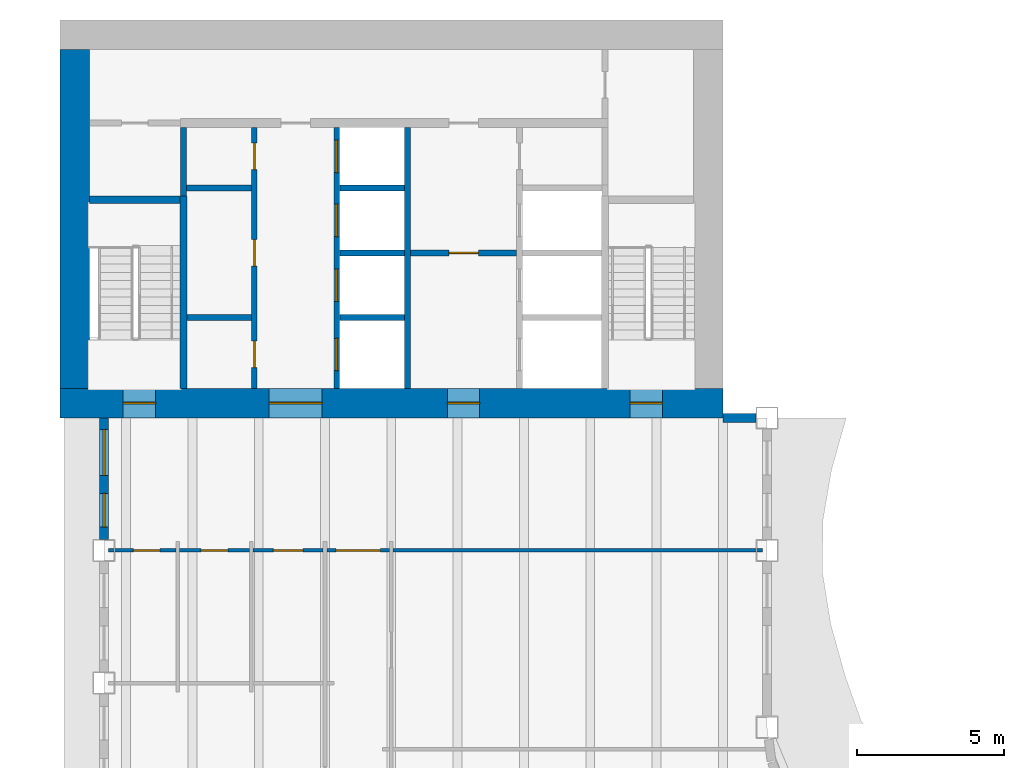
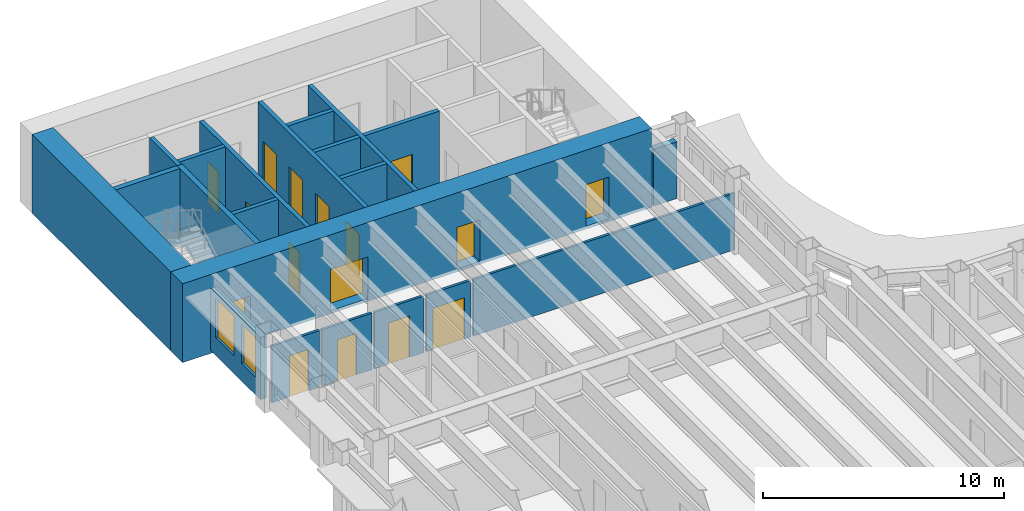
# One storey, part 9 of 17: 21 walls, 16 doors, 2 windows, 18 openings.
"""IFC4 building model written with IfcOpenShell, lengths in metres."""

from ifc_helpers import new_model, si_unit, direction, frame, frame_2d, origin, place, context, subcontext, project, spatial, rectangle, extrude, material, layer, layer_set, type_object, element, fill, save


model = new_model("IFC4")

# Units and contexts
model_context = context("Model", 3, precision=1e-05, world=origin(), true_north=direction((0.0, 1.0)))
body_context = subcontext(model_context, "Body", "Model", "MODEL_VIEW")
ifc_project = project(units=[si_unit("LENGTHUNIT", "METRE"), si_unit("AREAUNIT", "SQUARE_METRE"), si_unit("VOLUMEUNIT", "CUBIC_METRE"), si_unit("PLANEANGLEUNIT", "RADIAN"), si_unit("MASSUNIT", "GRAM", prefix="KILO")], contexts=[model_context])

# Site, building, storey
site_placement = place(None, origin())
site = spatial("IfcSite", under=ifc_project, at=site_placement, CompositionType="ELEMENT")
building_placement = place(site_placement, origin())
building = spatial("IfcBuilding", under=site, at=building_placement, Name="Sennacour Bend Tower", CompositionType="ELEMENT")
storey_placement = place(building_placement, frame((0.0, 0.0, 215.0)))
storey = spatial("IfcBuildingStorey", under=building, at=storey_placement, Name="L49", CompositionType="ELEMENT", Elevation=215.0)

# Wall, openings, doors
ifc_material_1 = material(Name="Concrete C60/75", Category="concrete")
ifc_layer_1 = layer(ifc_material_1, 1.0, Name="Concrete C60/75", Category="concrete")
ifc_layer_set_1 = layer_set([ifc_layer_1], Name="Concrete C60/75")
wall_type_1 = type_object("IfcWallType", Name="Core wall 1000 C60/75", PredefinedType="SHEAR", material=ifc_layer_set_1)
wall_1_placement = place(storey_placement, frame((0.0, 36.5, -0.14990234375), z_axis=(0.0, 0.0, 1.0), x_axis=(1.0, 0.0, 0.0)))
wall_1 = element("IfcWall", 1, at=wall_1_placement, inside=storey, type_object=wall_type_1, Name="Core B wall L49 S", PredefinedType="SHEAR", context=body_context, shape_type="SweptSolid", body=[
    extrude(rectangle(XDim=22.5, YDim=1.0, at=frame_2d((11.25, 0.0))), origin(), (0.0, 0.0, 1.0), 4.0),
])
opening_1_placement = place(wall_1_placement, frame((7.10009765625, 0.0, 0.14990234375)))
opening_1 = element("IfcOpeningElement", 2, at=opening_1_placement, cuts=wall_1, Name="Opening CD", PredefinedType="OPENING", context=body_context, shape_type="SweptSolid", body=[
    extrude(rectangle(XDim=1.800048828125, YDim=2.10009765625, at=frame_2d((0.89990234375, 1.050048828125))), frame((0.0, 0.510009765625, 0.0), z_axis=(0.0, -1.0, 0.0), x_axis=(1.0, 0.0, 0.0)), (0.0, 0.0, 1.0), 1.02001953125),
])
opening_2_placement = place(wall_1_placement, frame((13.14990234375, 0.0, 0.14990234375)))
opening_2 = element("IfcOpeningElement", 3, at=opening_2_placement, cuts=wall_1, Name="Opening FD", PredefinedType="OPENING", context=body_context, shape_type="SweptSolid", body=[
    extrude(rectangle(XDim=1.10009765625, YDim=2.10009765625, at=frame_2d((0.550048828125, 1.050048828125))), frame((0.0, 0.510009765625, 0.0), z_axis=(0.0, -1.0, 0.0), x_axis=(1.0, 0.0, 0.0)), (0.0, 0.0, 1.0), 1.02001953125),
])
opening_3_placement = place(wall_1_placement, frame((2.14990234375, 0.0, 0.14990234375)))
opening_3 = element("IfcOpeningElement", 4, at=opening_3_placement, cuts=wall_1, Name="Opening SD", PredefinedType="OPENING", context=body_context, shape_type="SweptSolid", body=[
    extrude(rectangle(XDim=1.10009765625, YDim=2.10009765625, at=frame_2d((0.550048828125, 1.050048828125))), frame((0.0, 0.510009765625, 0.0), z_axis=(0.0, -1.0, 0.0), x_axis=(1.0, 0.0, 0.0)), (0.0, 0.0, 1.0), 1.02001953125),
])
opening_4_placement = place(wall_1_placement, frame((19.35009765625, 0.0, 0.14990234375)))
opening_4 = element("IfcOpeningElement", 5, at=opening_4_placement, cuts=wall_1, Name="Opening SD", PredefinedType="OPENING", context=body_context, shape_type="SweptSolid", body=[
    extrude(rectangle(XDim=1.10009765625, YDim=2.10009765625, at=frame_2d((0.550048828125, 1.050048828125))), frame((0.0, 0.510009765625, 0.0), z_axis=(0.0, -1.0, 0.0), x_axis=(1.0, 0.0, 0.0)), (0.0, 0.0, 1.0), 1.02001953125),
])
ifc_material_2 = material(Name="Painted steel", Category="steel")
door_type_1 = type_object("IfcDoorType", Name="DR-FFL-1100", OperationType="NOTDEFINED", PredefinedType="DOOR", material=ifc_material_2)
door_1_placement = place(opening_2_placement, origin())
door_1 = element("IfcDoor", 6, at=door_1_placement, inside=storey, type_object=door_type_1, Name="Door", OperationType="SINGLE_SWING_RIGHT", OverallHeight=2.10009765625, OverallWidth=1.10009765625, PredefinedType="DOOR", context=body_context, shape_type="SweptSolid", body=[
    extrude(rectangle(XDim=1.10009765625, YDim=2.10009765625, at=frame_2d((0.550048828125, 1.050048828125))), frame((0.0, 0.02490234375, 0.0), z_axis=(0.0, -1.0, 0.0), x_axis=(1.0, 0.0, 0.0)), (0.0, 0.0, 1.0), 0.050048828125),
])
fill(opening_2, door_1)
door_type_2 = type_object("IfcDoorType", Name="DR-LOBBY-1800", OperationType="NOTDEFINED", PredefinedType="DOOR", material=ifc_material_2)
door_2_placement = place(opening_1_placement, origin())
door_2 = element("IfcDoor", 7, at=door_2_placement, inside=storey, type_object=door_type_2, Name="Door", OperationType="DOUBLE_DOOR_SINGLE_SWING", OverallHeight=2.10009765625, OverallWidth=1.800048828125, PredefinedType="DOOR", context=body_context, shape_type="SweptSolid", body=[
    extrude(rectangle(XDim=1.800048828125, YDim=2.10009765625, at=frame_2d((0.89990234375, 1.050048828125))), frame((0.0, 0.02490234375, 0.0), z_axis=(0.0, -1.0, 0.0), x_axis=(1.0, 0.0, 0.0)), (0.0, 0.0, 1.0), 0.050048828125),
])
fill(opening_1, door_2)
door_type_3 = type_object("IfcDoorType", Name="DR-STAIR-1100", OperationType="NOTDEFINED", PredefinedType="DOOR", material=ifc_material_2)
door_3_placement = place(opening_3_placement, origin())
door_3 = element("IfcDoor", 8, at=door_3_placement, inside=storey, type_object=door_type_3, Name="Door", OperationType="SINGLE_SWING_LEFT", OverallHeight=2.10009765625, OverallWidth=1.10009765625, PredefinedType="DOOR", context=body_context, shape_type="SweptSolid", body=[
    extrude(rectangle(XDim=1.10009765625, YDim=2.10009765625, at=frame_2d((0.550048828125, 1.050048828125))), frame((0.0, 0.02490234375, 0.0), z_axis=(0.0, -1.0, 0.0), x_axis=(1.0, 0.0, 0.0)), (0.0, 0.0, 1.0), 0.050048828125),
])
fill(opening_3, door_3)
door_4_placement = place(opening_4_placement, origin())
door_4 = element("IfcDoor", 9, at=door_4_placement, inside=storey, type_object=door_type_3, Name="Door", OperationType="SINGLE_SWING_RIGHT", OverallHeight=2.10009765625, OverallWidth=1.10009765625, PredefinedType="DOOR", context=body_context, shape_type="SweptSolid", body=[
    extrude(rectangle(XDim=1.10009765625, YDim=2.10009765625, at=frame_2d((0.550048828125, 1.050048828125))), frame((0.0, 0.02490234375, 0.0), z_axis=(0.0, -1.0, 0.0), x_axis=(1.0, 0.0, 0.0)), (0.0, 0.0, 1.0), 0.050048828125),
])
fill(opening_4, door_4)

# Wall
wall_2_placement = place(storey_placement, frame((0.5, 37.0, -0.14990234375), z_axis=(0.0, 0.0, 1.0), x_axis=(0.0, 1.0, 0.0)))
element("IfcWall", 10, at=wall_2_placement, inside=storey, type_object=wall_type_1, Name="Core B wall L49 W", PredefinedType="SHEAR", context=body_context, shape_type="SweptSolid", body=[
    extrude(rectangle(XDim=11.5, YDim=1.0, at=frame_2d((5.75, 0.0))), origin(), (0.0, 0.0, 1.0), 4.0),
])

# Wall, opening, door
ifc_material_3 = material(Name="Plasterboard partition on steel studs", Category="steel")
ifc_layer_2 = layer(ifc_material_3, 0.1201171875, Name="Plasterboard partition on steel studs", Category="steel")
ifc_layer_set_2 = layer_set([ifc_layer_2], Name="Plasterboard partition on steel studs")
wall_type_2 = type_object("IfcWallType", Name="Partition 120", PredefinedType="PARTITIONING", material=ifc_layer_set_2)
wall_3_placement = place(storey_placement, frame((1.64990234375, 31.5, 0.0), z_axis=(0.0, 0.0, 1.0), x_axis=(1.0, 0.0, 0.0)))
wall_3 = element("IfcWall", 11, at=wall_3_placement, inside=storey, type_object=wall_type_2, Name="P-L49-W077aa", PredefinedType="PARTITIONING", context=body_context, shape_type="SweptSolid", body=[
    extrude(rectangle(XDim=2.2900390625, YDim=0.1201171875, at=frame_2d((1.14501953125, 0.0))), origin(), (0.0, 0.0, 1.0), 2.8701171875),
])
opening_5_placement = place(wall_3_placement, frame((0.85009765625, 0.0, 0.0)))
opening_5 = element("IfcOpeningElement", 12, at=opening_5_placement, cuts=wall_3, Name="Opening WD", PredefinedType="OPENING", context=body_context, shape_type="SweptSolid", body=[
    extrude(rectangle(XDim=0.89990234375, YDim=2.10009765625, at=frame_2d((0.449951171875, 1.050048828125))), frame((0.0, 0.070068359375, 0.0), z_axis=(0.0, -1.0, 0.0), x_axis=(1.0, 0.0, 0.0)), (0.0, 0.0, 1.0), 0.14013671875),
])
ifc_material_4 = material(Name="Timber", Category="wood")
door_type_4 = type_object("IfcDoorType", Name="DR-WC-900", OperationType="NOTDEFINED", PredefinedType="DOOR", material=ifc_material_4)
door_5_placement = place(opening_5_placement, origin())
door_5 = element("IfcDoor", 13, at=door_5_placement, inside=storey, type_object=door_type_4, Name="Door", OperationType="SINGLE_SWING_RIGHT", OverallHeight=2.10009765625, OverallWidth=0.89990234375, PredefinedType="DOOR", context=body_context, shape_type="SweptSolid", body=[
    extrude(rectangle(XDim=0.89990234375, YDim=2.10009765625, at=frame_2d((0.449951171875, 1.050048828125))), frame((0.0, 0.02490234375, 0.0), z_axis=(0.0, -1.0, 0.0), x_axis=(1.0, 0.0, 0.0)), (0.0, 0.0, 1.0), 0.050048828125),
])
fill(opening_5, door_5)

wall_4_placement = place(storey_placement, frame((4.06005859375, 31.5, 0.0), z_axis=(0.0, 0.0, 1.0), x_axis=(1.0, 0.0, 0.0)))
wall_4 = element("IfcWall", 14, at=wall_4_placement, inside=storey, type_object=wall_type_2, Name="P-L49-W077ab", PredefinedType="PARTITIONING", context=body_context, shape_type="SweptSolid", body=[
    extrude(rectangle(XDim=2.3798828125, YDim=0.1201171875, at=frame_2d((1.18994140625, 0.0))), origin(), (0.0, 0.0, 1.0), 2.8701171875),
])
opening_6_placement = place(wall_4_placement, frame((0.739990234375, 0.0, 0.0)))
opening_6 = element("IfcOpeningElement", 15, at=opening_6_placement, cuts=wall_4, Name="Opening WD", PredefinedType="OPENING", context=body_context, shape_type="SweptSolid", body=[
    extrude(rectangle(XDim=0.89990234375, YDim=2.10009765625, at=frame_2d((0.449951171875, 1.050048828125))), frame((0.0, 0.070068359375, 0.0), z_axis=(0.0, -1.0, 0.0), x_axis=(1.0, 0.0, 0.0)), (0.0, 0.0, 1.0), 0.14013671875),
])
door_6_placement = place(opening_6_placement, origin())
door_6 = element("IfcDoor", 16, at=door_6_placement, inside=storey, type_object=door_type_4, Name="Door", OperationType="SINGLE_SWING_LEFT", OverallHeight=2.10009765625, OverallWidth=0.89990234375, PredefinedType="DOOR", context=body_context, shape_type="SweptSolid", body=[
    extrude(rectangle(XDim=0.89990234375, YDim=2.10009765625, at=frame_2d((0.449951171875, 1.050048828125))), frame((0.0, 0.02490234375, 0.0), z_axis=(0.0, -1.0, 0.0), x_axis=(1.0, 0.0, 0.0)), (0.0, 0.0, 1.0), 0.050048828125),
])
fill(opening_6, door_6)

wall_5_placement = place(storey_placement, frame((6.56005859375, 31.5, 0.0), z_axis=(0.0, 0.0, 1.0), x_axis=(1.0, 0.0, 0.0)))
wall_5 = element("IfcWall", 17, at=wall_5_placement, inside=storey, type_object=wall_type_2, Name="P-L49-W077ac", PredefinedType="PARTITIONING", context=body_context, shape_type="SweptSolid", body=[
    extrude(rectangle(XDim=2.3798828125, YDim=0.1201171875, at=frame_2d((1.18994140625, 0.0))), origin(), (0.0, 0.0, 1.0), 2.8701171875),
])
opening_7_placement = place(wall_5_placement, frame((0.68994140625, 0.0, 0.0)))
opening_7 = element("IfcOpeningElement", 18, at=opening_7_placement, cuts=wall_5, Name="Opening AD", PredefinedType="OPENING", context=body_context, shape_type="SweptSolid", body=[
    extrude(rectangle(XDim=1.0, YDim=2.10009765625, at=frame_2d((0.5, 1.050048828125))), frame((0.0, 0.070068359375, 0.0), z_axis=(0.0, -1.0, 0.0), x_axis=(1.0, 0.0, 0.0)), (0.0, 0.0, 1.0), 0.14013671875),
])
door_type_5 = type_object("IfcDoorType", Name="DR-ACC-WC-1000", OperationType="NOTDEFINED", PredefinedType="DOOR", material=ifc_material_4)
door_7_placement = place(opening_7_placement, origin())
door_7 = element("IfcDoor", 19, at=door_7_placement, inside=storey, type_object=door_type_5, Name="Door", OperationType="SINGLE_SWING_LEFT", OverallHeight=2.10009765625, OverallWidth=1.0, PredefinedType="DOOR", context=body_context, shape_type="SweptSolid", body=[
    extrude(rectangle(XDim=1.0, YDim=2.10009765625, at=frame_2d((0.5, 1.050048828125))), frame((0.0, 0.02490234375, 0.0), z_axis=(0.0, -1.0, 0.0), x_axis=(1.0, 0.0, 0.0)), (0.0, 0.0, 1.0), 0.050048828125),
])
fill(opening_7, door_7)

# Wall
wall_6_placement = place(storey_placement, frame((11.31005859375, 31.5, 0.0), z_axis=(0.0, 0.0, 1.0), x_axis=(1.0, 0.0, 0.0)))
element("IfcWall", 20, at=wall_6_placement, inside=storey, type_object=wall_type_2, Name="P-L49-W077ae", PredefinedType="PARTITIONING", context=body_context, shape_type="SweptSolid", body=[
    extrude(rectangle(XDim=12.5400390625, YDim=0.1201171875, at=frame_2d((6.27001953125, 0.0))), origin(), (0.0, 0.0, 1.0), 2.8701171875),
])

# Wall, opening, door
ifc_layer_3 = layer(ifc_material_3, 0.1201171875, Name="Plasterboard partition on steel studs", Category="steel")
ifc_layer_set_3 = layer_set([ifc_layer_3], Name="Plasterboard partition on steel studs")
wall_type_3 = type_object("IfcWallType", Name="Partition 120 EI 30", PredefinedType="PARTITIONING", material=ifc_layer_set_3)
wall_7_placement = place(storey_placement, frame((9.06005859375, 31.5, 0.0), z_axis=(0.0, 0.0, 1.0), x_axis=(1.0, 0.0, 0.0)))
wall_7 = element("IfcWall", 21, at=wall_7_placement, inside=storey, type_object=wall_type_3, Name="P-L49-W077ad", PredefinedType="PARTITIONING", context=body_context, shape_type="SweptSolid", body=[
    extrude(rectangle(XDim=2.1298828125, YDim=0.1201171875, at=frame_2d((1.06494140625, 0.0))), origin(), (0.0, 0.0, 1.0), 2.8701171875),
])
opening_8_placement = place(wall_7_placement, frame((0.31494140625, 0.0, 0.0)))
opening_8 = element("IfcOpeningElement", 22, at=opening_8_placement, cuts=wall_7, Name="Opening KD", PredefinedType="OPENING", context=body_context, shape_type="SweptSolid", body=[
    extrude(rectangle(XDim=1.5, YDim=2.10009765625, at=frame_2d((0.75, 1.050048828125))), frame((0.0, 0.070068359375, 0.0), z_axis=(0.0, -1.0, 0.0), x_axis=(1.0, 0.0, 0.0)), (0.0, 0.0, 1.0), 0.14013671875),
])
door_type_6 = type_object("IfcDoorType", Name="DR-CORRIDOR-1500", OperationType="NOTDEFINED", PredefinedType="DOOR", material=ifc_material_2)
door_8_placement = place(opening_8_placement, origin())
door_8 = element("IfcDoor", 23, at=door_8_placement, inside=storey, type_object=door_type_6, Name="Door", OperationType="SINGLE_SWING_LEFT", OverallHeight=2.10009765625, OverallWidth=1.5, PredefinedType="DOOR", context=body_context, shape_type="SweptSolid", body=[
    extrude(rectangle(XDim=1.5, YDim=2.10009765625, at=frame_2d((0.75, 1.050048828125))), frame((0.0, 0.02490234375, 0.0), z_axis=(0.0, -1.0, 0.0), x_axis=(1.0, 0.0, 0.0)), (0.0, 0.0, 1.0), 0.050048828125),
])
fill(opening_8, door_8)

# Wall
ifc_material_5 = material(Name="Fire-rated plasterboard partition on steel studs", Category="steel")
ifc_layer_4 = layer(ifc_material_5, 0.199951171875, Name="Fire-rated plasterboard partition on steel studs", Category="steel")
ifc_layer_set_4 = layer_set([ifc_layer_4], Name="Fire-rated plasterboard partition on steel studs")
wall_type_4 = type_object("IfcWallType", Name="Rated partition 200", PredefinedType="PARTITIONING", material=ifc_layer_set_4)
wall_8_placement = place(storey_placement, frame((4.199951171875, 43.52490234375, 0.0), z_axis=(0.0, 0.0, 1.0), x_axis=(0.0, 1.0, 0.0)))
element("IfcWall", 24, at=wall_8_placement, inside=storey, type_object=wall_type_4, Name="P-L49-W006", PredefinedType="PARTITIONING", context=body_context, shape_type="SweptSolid", body=[
    extrude(rectangle(XDim=2.3251953125, YDim=0.199951171875, at=frame_2d((1.16259765625, 0.0))), origin(), (0.0, 0.0, 1.0), 3.85009765625),
])

# Wall, openings, doors
wall_9_placement = place(storey_placement, frame((6.60009765625, 37.0, 0.0), z_axis=(0.0, 0.0, 1.0), x_axis=(0.0, 1.0, 0.0)))
wall_9 = element("IfcWall", 25, at=wall_9_placement, inside=storey, type_object=wall_type_4, Name="P-L49-W008", PredefinedType="PARTITIONING", context=body_context, shape_type="SweptSolid", body=[
    extrude(rectangle(XDim=8.85009765625, YDim=0.199951171875, at=frame_2d((4.425048828125, 0.0))), origin(), (0.0, 0.0, 1.0), 3.85009765625),
])
opening_9_placement = place(wall_9_placement, frame((0.699951171875, 0.0, 0.0)))
opening_9 = element("IfcOpeningElement", 26, at=opening_9_placement, cuts=wall_9, Name="Opening SV", PredefinedType="OPENING", context=body_context, shape_type="SweptSolid", body=[
    extrude(rectangle(XDim=0.89990234375, YDim=2.10009765625, at=frame_2d((0.449951171875, 1.050048828125))), frame((0.0, 0.10986328125, 0.0), z_axis=(0.0, -1.0, 0.0), x_axis=(1.0, 0.0, 0.0)), (0.0, 0.0, 1.0), 0.219970703125),
])
opening_10_placement = place(wall_9_placement, frame((4.14990234375, 0.0, 0.0)))
opening_10 = element("IfcOpeningElement", 27, at=opening_10_placement, cuts=wall_9, Name="Opening WD", PredefinedType="OPENING", context=body_context, shape_type="SweptSolid", body=[
    extrude(rectangle(XDim=0.89990234375, YDim=2.10009765625, at=frame_2d((0.449951171875, 1.050048828125))), frame((0.0, 0.10986328125, 0.0), z_axis=(0.0, -1.0, 0.0), x_axis=(1.0, 0.0, 0.0)), (0.0, 0.0, 1.0), 0.219970703125),
])
opening_11_placement = place(wall_9_placement, frame((7.425048828125, 0.0, 0.0)))
opening_11 = element("IfcOpeningElement", 28, at=opening_11_placement, cuts=wall_9, Name="Opening SV", PredefinedType="OPENING", context=body_context, shape_type="SweptSolid", body=[
    extrude(rectangle(XDim=0.89990234375, YDim=2.10009765625, at=frame_2d((0.449951171875, 1.050048828125))), frame((0.0, 0.10986328125, 0.0), z_axis=(0.0, -1.0, 0.0), x_axis=(1.0, 0.0, 0.0)), (0.0, 0.0, 1.0), 0.219970703125),
])
door_type_7 = type_object("IfcDoorType", Name="DR-SERVICE-900", OperationType="NOTDEFINED", PredefinedType="DOOR", material=ifc_material_2)
door_9_placement = place(opening_9_placement, origin())
door_9 = element("IfcDoor", 29, at=door_9_placement, inside=storey, type_object=door_type_7, Name="Door", OperationType="SINGLE_SWING_LEFT", OverallHeight=2.10009765625, OverallWidth=0.89990234375, PredefinedType="DOOR", context=body_context, shape_type="SweptSolid", body=[
    extrude(rectangle(XDim=0.89990234375, YDim=2.10009765625, at=frame_2d((0.449951171875, 1.050048828125))), frame((0.0, 0.02490234375, 0.0), z_axis=(0.0, -1.0, 0.0), x_axis=(1.0, 0.0, 0.0)), (0.0, 0.0, 1.0), 0.050048828125),
])
fill(opening_9, door_9)
door_10_placement = place(opening_11_placement, origin())
door_10 = element("IfcDoor", 30, at=door_10_placement, inside=storey, type_object=door_type_7, Name="Door", OperationType="SINGLE_SWING_RIGHT", OverallHeight=2.10009765625, OverallWidth=0.89990234375, PredefinedType="DOOR", context=body_context, shape_type="SweptSolid", body=[
    extrude(rectangle(XDim=0.89990234375, YDim=2.10009765625, at=frame_2d((0.449951171875, 1.050048828125))), frame((0.0, 0.02490234375, 0.0), z_axis=(0.0, -1.0, 0.0), x_axis=(1.0, 0.0, 0.0)), (0.0, 0.0, 1.0), 0.050048828125),
])
fill(opening_11, door_10)
door_11_placement = place(opening_10_placement, origin())
door_11 = element("IfcDoor", 31, at=door_11_placement, inside=storey, type_object=door_type_4, Name="Door", OperationType="SINGLE_SWING_RIGHT", OverallHeight=2.10009765625, OverallWidth=0.89990234375, PredefinedType="DOOR", context=body_context, shape_type="SweptSolid", body=[
    extrude(rectangle(XDim=0.89990234375, YDim=2.10009765625, at=frame_2d((0.449951171875, 1.050048828125))), frame((0.0, 0.02490234375, 0.0), z_axis=(0.0, -1.0, 0.0), x_axis=(1.0, 0.0, 0.0)), (0.0, 0.0, 1.0), 0.050048828125),
])
fill(opening_10, door_11)

# Walls
wall_10_placement = place(storey_placement, frame((4.324951171875, 39.39990234375, 0.0), z_axis=(0.0, 0.0, 1.0), x_axis=(1.0, 0.0, 0.0)))
element("IfcWall", 32, at=wall_10_placement, inside=storey, type_object=wall_type_4, Name="P-L49-W079", PredefinedType="PARTITIONING", context=body_context, shape_type="SweptSolid", body=[
    extrude(rectangle(XDim=2.175048828125, YDim=0.199951171875, at=frame_2d((1.08740234375, 0.0))), origin(), (0.0, 0.0, 1.0), 3.85009765625),
])
wall_11_placement = place(storey_placement, frame((4.300048828125, 43.800048828125, 0.0), z_axis=(0.0, 0.0, 1.0), x_axis=(1.0, 0.0, 0.0)))
element("IfcWall", 33, at=wall_11_placement, inside=storey, type_object=wall_type_4, Name="P-L49-W087", PredefinedType="PARTITIONING", context=body_context, shape_type="SweptSolid", body=[
    extrude(rectangle(XDim=2.199951171875, YDim=0.199951171875, at=frame_2d((1.10009765625, 0.0))), origin(), (0.0, 0.0, 1.0), 3.85009765625),
])

# Wall, opening, door
ifc_layer_5 = layer(ifc_material_5, 0.199951171875, Name="Fire-rated plasterboard partition on steel studs", Category="steel")
ifc_layer_set_5 = layer_set([ifc_layer_5], Name="Fire-rated plasterboard partition on steel studs")
wall_type_5 = type_object("IfcWallType", Name="Rated partition 200 EI 90", PredefinedType="PARTITIONING", material=ifc_layer_set_5)
wall_12_placement = place(storey_placement, frame((11.89990234375, 41.60009765625, 0.0), z_axis=(0.0, 0.0, 1.0), x_axis=(1.0, 0.0, 0.0)))
wall_12 = element("IfcWall", 34, at=wall_12_placement, inside=storey, type_object=wall_type_5, Name="P-L49-W083", PredefinedType="PARTITIONING", context=body_context, shape_type="SweptSolid", body=[
    extrude(rectangle(XDim=3.60009765625, YDim=0.199951171875, at=frame_2d((1.800048828125, 0.0))), origin(), (0.0, 0.0, 1.0), 3.85009765625),
])
opening_12_placement = place(wall_12_placement, frame((1.300048828125, 0.0, 0.0)))
opening_12 = element("IfcOpeningElement", 35, at=opening_12_placement, cuts=wall_12, Name="Opening FD2", PredefinedType="OPENING", context=body_context, shape_type="SweptSolid", body=[
    extrude(rectangle(XDim=1.0, YDim=2.10009765625, at=frame_2d((0.5, 1.050048828125))), frame((0.0, 0.10986328125, 0.0), z_axis=(0.0, -1.0, 0.0), x_axis=(1.0, 0.0, 0.0)), (0.0, 0.0, 1.0), 0.219970703125),
])
door_type_8 = type_object("IfcDoorType", Name="DR-FFL-1000", OperationType="NOTDEFINED", PredefinedType="DOOR", material=ifc_material_2)
door_12_placement = place(opening_12_placement, origin())
door_12 = element("IfcDoor", 36, at=door_12_placement, inside=storey, type_object=door_type_8, Name="Door", OperationType="SINGLE_SWING_LEFT", OverallHeight=2.10009765625, OverallWidth=1.0, PredefinedType="DOOR", context=body_context, shape_type="SweptSolid", body=[
    extrude(rectangle(XDim=1.0, YDim=2.10009765625, at=frame_2d((0.5, 1.050048828125))), frame((0.0, 0.02490234375, 0.0), z_axis=(0.0, -1.0, 0.0), x_axis=(1.0, 0.0, 0.0)), (0.0, 0.0, 1.0), 0.050048828125),
])
fill(opening_12, door_12)

# Wall
ifc_material_6 = material(Name="Warm limestone cladding", Category="masonry")
ifc_layer_6 = layer(ifc_material_6, 0.050048828125, Name="Warm limestone cladding", Category="masonry")
ifc_material_7 = material(Name="Precast concrete C40/50", Category="concrete")
ifc_layer_7 = layer(ifc_material_7, 0.25, Name="Precast concrete C40/50", Category="concrete")
ifc_layer_set_6 = layer_set([ifc_layer_6, ifc_layer_7], Name="Precast concrete C40/50 with limestone cladding")
wall_type_6 = type_object("IfcWallType", Name="STONE-CLAD PRECAST SPANDREL 300", PredefinedType="STANDARD", material=ifc_layer_set_6)
wall_13_placement = place(storey_placement, frame((23.625, 36.0, 0.0), z_axis=(0.0, 0.0, 1.0), x_axis=(-1.0, 0.0, 0.0)))
element("IfcWall", 37, at=wall_13_placement, inside=storey, type_object=wall_type_6, Name="Stone spandrel and pier wall L49 14.00", PredefinedType="STANDARD", context=body_context, shape_type="SweptSolid", body=[
    extrude(rectangle(XDim=1.125, YDim=0.300048828125, at=frame_2d((0.5625, 0.0))), origin(), (0.0, 0.0, 1.0), 2.8701171875),
])

# Wall, openings, windows
wall_14_placement = place(storey_placement, frame((1.5, 36.0, 0.0), z_axis=(0.0, 0.0, 1.0), x_axis=(0.0, -1.0, 0.0)))
wall_14 = element("IfcWall", 38, at=wall_14_placement, inside=storey, type_object=wall_type_6, Name="Stone spandrel and pier wall L49 19.00", PredefinedType="STANDARD", context=body_context, shape_type="SweptSolid", body=[
    extrude(rectangle(XDim=4.125, YDim=0.300048828125, at=frame_2d((2.0625, 0.0))), origin(), (0.0, 0.0, 1.0), 3.156982421875),
])
opening_13_placement = place(wall_14_placement, frame((0.39990234375, 0.0, 0.89990234375)))
opening_13 = element("IfcOpeningElement", 39, at=opening_13_placement, cuts=wall_14, Name="Opening W9", PredefinedType="OPENING", context=body_context, shape_type="SweptSolid", body=[
    extrude(rectangle(XDim=1.550048828125, YDim=2.0, at=frame_2d((0.77490234375, 1.0))), frame((0.0, 0.16015625, 0.0), z_axis=(0.0, -1.0, 0.0), x_axis=(1.0, 0.0, 0.0)), (0.0, 0.0, 1.0), 0.320068359375),
])
opening_14_placement = place(wall_14_placement, frame((2.5625, 0.0, 0.89990234375)))
opening_14 = element("IfcOpeningElement", 40, at=opening_14_placement, cuts=wall_14, Name="Opening W24", PredefinedType="OPENING", context=body_context, shape_type="SweptSolid", body=[
    extrude(rectangle(XDim=1.14990234375, YDim=2.0, at=frame_2d((0.574951171875, 1.0))), frame((0.0, 0.16015625, 0.0), z_axis=(0.0, -1.0, 0.0), x_axis=(1.0, 0.0, 0.0)), (0.0, 0.0, 1.0), 0.320068359375),
])
ifc_material_8 = material(Name="Clear low-emissivity glass", Category="glass")
window_type_1 = type_object("IfcWindowType", Name="WIN-RIBBON-1150x2000", PartitioningType="SINGLE_PANEL", PredefinedType="WINDOW", material=ifc_material_8)
window_1_placement = place(opening_14_placement, origin())
window_1 = element("IfcWindow", 41, at=window_1_placement, inside=storey, type_object=window_type_1, Name="Ribbon window L49 19.00.1", OverallHeight=2.0, OverallWidth=1.14990234375, PartitioningType="SINGLE_PANEL", PredefinedType="WINDOW", context=body_context, shape_type="SweptSolid", body=[
    extrude(rectangle(XDim=1.14990234375, YDim=2.0, at=frame_2d((0.574951171875, 1.0))), frame((0.0, 0.030029296875, 0.0), z_axis=(0.0, -1.0, 0.0), x_axis=(1.0, 0.0, 0.0)), (0.0, 0.0, 1.0), 0.06005859375),
])
fill(opening_14, window_1)
window_type_2 = type_object("IfcWindowType", Name="WIN-RIBBON-1550x2000", PartitioningType="SINGLE_PANEL", PredefinedType="WINDOW", material=ifc_material_8)
window_2_placement = place(opening_13_placement, origin())
window_2 = element("IfcWindow", 42, at=window_2_placement, inside=storey, type_object=window_type_2, Name="Ribbon window L49 19.00.0", OverallHeight=2.0, OverallWidth=1.550048828125, PartitioningType="SINGLE_PANEL", PredefinedType="WINDOW", context=body_context, shape_type="SweptSolid", body=[
    extrude(rectangle(XDim=1.550048828125, YDim=2.0, at=frame_2d((0.77490234375, 1.0))), frame((0.0, 0.030029296875, 0.0), z_axis=(0.0, -1.0, 0.0), x_axis=(1.0, 0.0, 0.0)), (0.0, 0.0, 1.0), 0.06005859375),
])
fill(opening_13, window_2)

# Wall, openings, doors
ifc_material_9 = material(Name="Concrete C50/60", Category="concrete")
ifc_layer_8 = layer(ifc_material_9, 0.199951171875, Name="Concrete C50/60", Category="concrete")
ifc_layer_set_7 = layer_set([ifc_layer_8], Name="Concrete C50/60")
wall_type_7 = type_object("IfcWallType", Name="Shaft wall 200", PredefinedType="SOLIDWALL", material=ifc_layer_set_7)
wall_15_placement = place(storey_placement, frame((9.39990234375, 37.0, 0.0), z_axis=(0.0, 0.0, 1.0), x_axis=(0.0, 1.0, 0.0)))
wall_15 = element("IfcWall", 43, at=wall_15_placement, inside=storey, type_object=wall_type_7, Name="P-L49-W011", PredefinedType="SOLIDWALL", context=body_context, shape_type="SweptSolid", body=[
    extrude(rectangle(XDim=8.85009765625, YDim=0.199951171875, at=frame_2d((4.425048828125, 0.0))), origin(), (0.0, 0.0, 1.0), 3.85009765625),
])
opening_15_placement = place(wall_15_placement, frame((0.60009765625, 0.0, 0.011962890625)))
opening_15 = element("IfcOpeningElement", 44, at=opening_15_placement, cuts=wall_15, Name="Opening LD", PredefinedType="OPENING", context=body_context, shape_type="SweptSolid", body=[
    extrude(rectangle(XDim=1.10009765625, YDim=2.10009765625, at=frame_2d((0.550048828125, 1.050048828125))), frame((0.0, 0.10986328125, 0.0), z_axis=(0.0, -1.0, 0.0), x_axis=(1.0, 0.0, 0.0)), (0.0, 0.0, 1.0), 0.219970703125),
])
opening_16_placement = place(wall_15_placement, frame((2.949951171875, 0.0, 0.011962890625)))
opening_16 = element("IfcOpeningElement", 45, at=opening_16_placement, cuts=wall_15, Name="Opening LD", PredefinedType="OPENING", context=body_context, shape_type="SweptSolid", body=[
    extrude(rectangle(XDim=1.10009765625, YDim=2.10009765625, at=frame_2d((0.550048828125, 1.050048828125))), frame((0.0, 0.10986328125, 0.0), z_axis=(0.0, -1.0, 0.0), x_axis=(1.0, 0.0, 0.0)), (0.0, 0.0, 1.0), 0.219970703125),
])
opening_17_placement = place(wall_15_placement, frame((5.14990234375, 0.0, 0.011962890625)))
opening_17 = element("IfcOpeningElement", 46, at=opening_17_placement, cuts=wall_15, Name="Opening LD", PredefinedType="OPENING", context=body_context, shape_type="SweptSolid", body=[
    extrude(rectangle(XDim=1.10009765625, YDim=2.10009765625, at=frame_2d((0.550048828125, 1.050048828125))), frame((0.0, 0.10986328125, 0.0), z_axis=(0.0, -1.0, 0.0), x_axis=(1.0, 0.0, 0.0)), (0.0, 0.0, 1.0), 0.219970703125),
])
opening_18_placement = place(wall_15_placement, frame((7.324951171875, 0.0, 0.011962890625)))
opening_18 = element("IfcOpeningElement", 47, at=opening_18_placement, cuts=wall_15, Name="Opening LD", PredefinedType="OPENING", context=body_context, shape_type="SweptSolid", body=[
    extrude(rectangle(XDim=1.10009765625, YDim=2.10009765625, at=frame_2d((0.550048828125, 1.050048828125))), frame((0.0, 0.10986328125, 0.0), z_axis=(0.0, -1.0, 0.0), x_axis=(1.0, 0.0, 0.0)), (0.0, 0.0, 1.0), 0.219970703125),
])
ifc_material_10 = material(Name="Stainless steel", Category="steel")
door_type_9 = type_object("IfcDoorType", Name="DR-LANDING-1100", OperationType="NOTDEFINED", PredefinedType="DOOR", material=ifc_material_10)
door_13_placement = place(opening_15_placement, origin())
door_13 = element("IfcDoor", 48, at=door_13_placement, inside=storey, type_object=door_type_9, Name="Lift landing door MB1", OperationType="SLIDING_TO_LEFT", OverallHeight=2.10009765625, OverallWidth=1.10009765625, PredefinedType="DOOR", context=body_context, shape_type="SweptSolid", body=[
    extrude(rectangle(XDim=1.10009765625, YDim=2.10009765625, at=frame_2d((0.550048828125, 1.050048828125))), frame((0.0, 0.02490234375, 0.0), z_axis=(0.0, -1.0, 0.0), x_axis=(1.0, 0.0, 0.0)), (0.0, 0.0, 1.0), 0.050048828125),
])
fill(opening_15, door_13)
door_14_placement = place(opening_16_placement, origin())
door_14 = element("IfcDoor", 49, at=door_14_placement, inside=storey, type_object=door_type_9, Name="Lift landing door MB2", OperationType="SLIDING_TO_RIGHT", OverallHeight=2.10009765625, OverallWidth=1.10009765625, PredefinedType="DOOR", context=body_context, shape_type="SweptSolid", body=[
    extrude(rectangle(XDim=1.10009765625, YDim=2.10009765625, at=frame_2d((0.550048828125, 1.050048828125))), frame((0.0, 0.02490234375, 0.0), z_axis=(0.0, -1.0, 0.0), x_axis=(1.0, 0.0, 0.0)), (0.0, 0.0, 1.0), 0.050048828125),
])
fill(opening_16, door_14)
door_15_placement = place(opening_17_placement, origin())
door_15 = element("IfcDoor", 50, at=door_15_placement, inside=storey, type_object=door_type_9, Name="Lift landing door MB3", OperationType="SLIDING_TO_LEFT", OverallHeight=2.10009765625, OverallWidth=1.10009765625, PredefinedType="DOOR", context=body_context, shape_type="SweptSolid", body=[
    extrude(rectangle(XDim=1.10009765625, YDim=2.10009765625, at=frame_2d((0.550048828125, 1.050048828125))), frame((0.0, 0.02490234375, 0.0), z_axis=(0.0, -1.0, 0.0), x_axis=(1.0, 0.0, 0.0)), (0.0, 0.0, 1.0), 0.050048828125),
])
fill(opening_17, door_15)
door_16_placement = place(opening_18_placement, origin())
door_16 = element("IfcDoor", 51, at=door_16_placement, inside=storey, type_object=door_type_9, Name="Lift landing door MB4", OperationType="SLIDING_TO_RIGHT", OverallHeight=2.10009765625, OverallWidth=1.10009765625, PredefinedType="DOOR", context=body_context, shape_type="SweptSolid", body=[
    extrude(rectangle(XDim=1.10009765625, YDim=2.10009765625, at=frame_2d((0.550048828125, 1.050048828125))), frame((0.0, 0.02490234375, 0.0), z_axis=(0.0, -1.0, 0.0), x_axis=(1.0, 0.0, 0.0)), (0.0, 0.0, 1.0), 0.050048828125),
])
fill(opening_18, door_16)

# Walls
wall_16_placement = place(storey_placement, frame((11.800048828125, 37.0, 0.0), z_axis=(0.0, 0.0, 1.0), x_axis=(0.0, 1.0, 0.0)))
element("IfcWall", 52, at=wall_16_placement, inside=storey, type_object=wall_type_7, Name="P-L49-W014", PredefinedType="SOLIDWALL", context=body_context, shape_type="SweptSolid", body=[
    extrude(rectangle(XDim=8.85009765625, YDim=0.199951171875, at=frame_2d((4.425048828125, 0.0))), origin(), (0.0, 0.0, 1.0), 3.85009765625),
])
for number, where, z_axis, x_axis, name in (
    (53, (9.5, 39.39990234375, 0.0), (0.0, 0.0, 1.0), (1.0, 0.0, 0.0), "P-L49-W080"),
    (54, (9.5, 41.60009765625, 0.0), (0.0, 0.0, 1.0), (1.0, 0.0, 0.0), "P-L49-W082"),
    (55, (9.5, 43.800048828125, 0.0), (0.0, 0.0, 1.0), (1.0, 0.0, 0.0), "P-L49-W088"),
):
    element("IfcWall", number, at=place(storey_placement, frame(where, z_axis=z_axis, x_axis=x_axis)), inside=storey, type_object=wall_type_7, Name=name, PredefinedType="SOLIDWALL", context=body_context, shape_type="SweptSolid", body=[
        extrude(rectangle(XDim=2.199951171875, YDim=0.199951171875, at=frame_2d((1.10009765625, 0.0))), origin(), (0.0, 0.0, 1.0), 3.85009765625),
    ])
ifc_layer_9 = layer(ifc_material_1, 0.25, Name="Concrete C60/75", Category="concrete")
ifc_layer_set_8 = layer_set([ifc_layer_9], Name="Concrete C60/75")
wall_type_8 = type_object("IfcWallType", Name="Stair wall 250", PredefinedType="SHEAR", material=ifc_layer_set_8)
wall_17_placement = place(storey_placement, frame((4.199951171875, 37.0, 0.0), z_axis=(0.0, 0.0, 1.0), x_axis=(0.0, 1.0, 0.0)))
element("IfcWall", 56, at=wall_17_placement, inside=storey, type_object=wall_type_8, Name="P-L49-W005", PredefinedType="SHEAR", context=body_context, shape_type="SweptSolid", body=[
    extrude(rectangle(XDim=6.52490234375, YDim=0.25, at=frame_2d((3.262451171875, 0.0))), origin(), (0.0, 0.0, 1.0), 3.85009765625),
])
wall_18_placement = place(storey_placement, frame((1.0, 43.39990234375, 0.0), z_axis=(0.0, 0.0, 1.0), x_axis=(1.0, 0.0, 0.0)))
element("IfcWall", 57, at=wall_18_placement, inside=storey, type_object=wall_type_8, Name="P-L49-W085", PredefinedType="SHEAR", context=body_context, shape_type="SweptSolid", body=[
    extrude(rectangle(XDim=3.074951171875, YDim=0.25, at=frame_2d((1.53759765625, 0.0))), origin(), (0.0, 0.0, 1.0), 3.85009765625),
])

save(model, "model.ifc")
